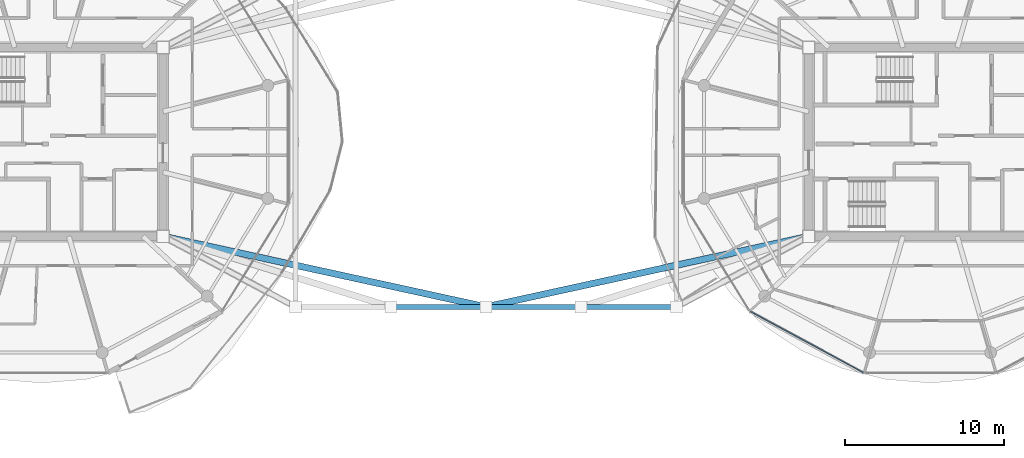
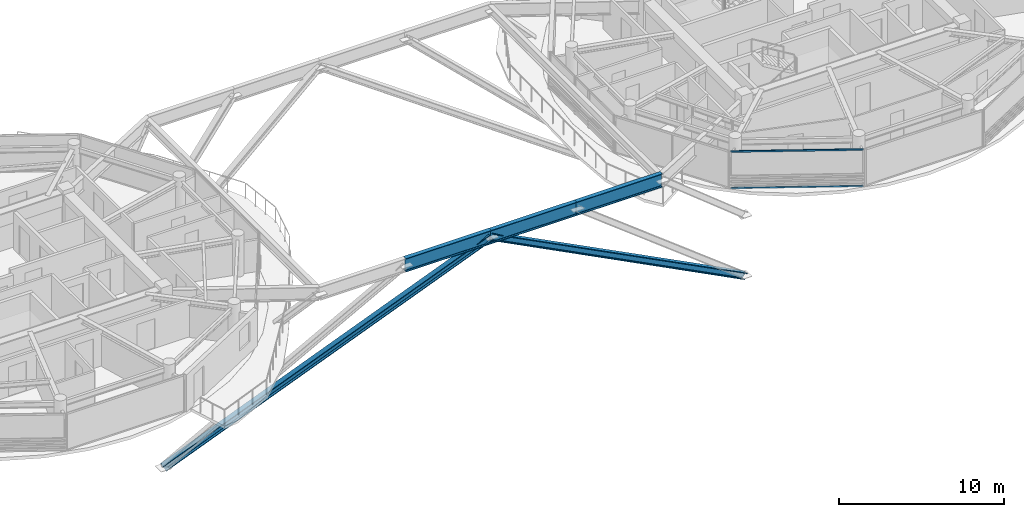
# One storey, part 6 of 23: 4 members, 3 beams, 1 element without a shape of its own.
"""IFC4 building model written with IfcOpenShell, lengths in metres."""

from ifc_helpers import new_model, si_unit, direction, frame, origin, origin_2d, place, context, subcontext, project, spatial, rectangle, i_section, extrude, source, transform, mapped, material, layer, layer_set, material_profile, profile_set, type_object, type_shapes, element, aggregate, save


model = new_model("IFC4")

# Units and contexts
model_context = context("Model", 3, precision=1e-05, world=origin(), true_north=direction((0.0, 1.0)))
body_context = subcontext(model_context, "Body", "Model", "MODEL_VIEW")
ifc_project = project(units=[si_unit("LENGTHUNIT", "METRE"), si_unit("AREAUNIT", "SQUARE_METRE"), si_unit("VOLUMEUNIT", "CUBIC_METRE"), si_unit("PLANEANGLEUNIT", "RADIAN"), si_unit("MASSUNIT", "GRAM", prefix="KILO")], contexts=[model_context])

# Site, building, storey
site_placement = place(None, origin())
site = spatial("IfcSite", under=ifc_project, at=site_placement, CompositionType="ELEMENT")
building_placement = place(site_placement, origin())
building = spatial("IfcBuilding", under=site, at=building_placement, Name="Norrkilde Senior Care Towers", CompositionType="ELEMENT")
storey_placement = place(building_placement, frame((0.0, 0.0, 196.75)))
storey = spatial("IfcBuildingStorey", under=building, at=storey_placement, Name="L61", CompositionType="ELEMENT", Elevation=196.75)

# Beams
ifc_material_1 = material(Name="Steel S355", Category="steel")
ifc_material_profile_1 = material_profile(ifc_material_1, i_section(OverallWidth=0.300048828125, OverallDepth=1.0, WebThickness=0.01904296875, FlangeThickness=0.035888671875, FilletRadius=0.030029296875, at=origin_2d()), Name="HEB 1000")
ifc_profile_set_1 = profile_set([ifc_material_profile_1], Name="Steel S355")
beam_type = type_object("IfcBeamType", Name="Sky Pool Cantilever Girder HEB1000", PredefinedType="USERDEFINED", material=ifc_profile_set_1)
shared_shape_1 = source(origin(), body_context, "Body", "SweptSolid", [
    extrude(i_section(OverallWidth=0.300048828125, OverallDepth=1.0, WebThickness=0.01904296875, FlangeThickness=0.035888671875, FilletRadius=0.030029296875, at=origin_2d()), origin(), (0.0, 0.0, 1.0), 6.0),
])
type_shapes(beam_type, [shared_shape_1])
for number, where, z_axis, x_axis, name in (
    (1, (-6.0, -10.39990234375, 2.1298828125), (1.0, 0.0, 0.0), (0.0, 1.0, 0.0), "L61 Sky-Gate Bridge Transfer Girder S3"),
    (2, (0.0, -10.39990234375, 2.1298828125), (1.0, 0.0, 0.0), (0.0, 1.0, 0.0), "L61 Sky-Gate Bridge Transfer Girder S4"),
    (3, (6.0, -10.39990234375, 2.1298828125), (1.0, 0.0, 0.0), (0.0, 1.0, 0.0), "L61 Sky-Gate Bridge Transfer Girder S5"),
):
    element("IfcBeam", number, at=place(storey_placement, frame(where, z_axis=z_axis, x_axis=x_axis)), inside=storey, type_object=beam_type, Name=name, ObjectType="GIRDER", PredefinedType="USERDEFINED", context=body_context, shape_type="MappedRepresentation", body=[
        mapped(shared_shape_1, transform((0.0, 0.0, 0.0), x_axis=(1.0, 0.0, 0.0), y_axis=(0.0, 1.0, 0.0), z_axis=(0.0, 0.0, 1.0), scale=1.0)),
    ])

# Members
ifc_material_profile_2 = material_profile(ifc_material_1, i_section(OverallWidth=0.412109375, OverallDepth=0.449951171875, WebThickness=0.028076171875, FlangeThickness=0.044921875, FilletRadius=0.014892578125, at=origin_2d()), Name="HD 400x509")
ifc_profile_set_2 = profile_set([ifc_material_profile_2], Name="Steel S355")
member_type_1 = type_object("IfcMemberType", Name="Pratt Bridge Truss Diagonal HD400x509", PredefinedType="BRACE", material=ifc_profile_set_2)
shared_shape_2 = source(origin(), body_context, "Body", "SweptSolid", [
    extrude(i_section(OverallWidth=0.412109375, OverallDepth=0.449951171875, WebThickness=0.028076171875, FlangeThickness=0.044921875, FilletRadius=0.014892578125, at=origin_2d()), origin(), (0.0, 0.0, 1.0), 24.412841796875),
])
type_shapes(member_type_1, [shared_shape_2])
for number, where, z_axis, x_axis, name in (
    (4, (-20.35009765625, -5.949951171875, -10.60009765625), (0.833585806424, -0.18228001648, 0.521448654156), (0.21362207932, 0.976916376783, 0.0), "L61 Sky-Gate Portal Arch Strut S-W00"),
    (5, (20.35009765625, -5.949951171875, -10.60009765625), (-0.833585806424, -0.18228001648, 0.521448654156), (0.21362207932, -0.976916376783, 0.0), "L61 Sky-Gate Portal Arch Strut S-E00"),
):
    element("IfcMember", number, at=place(storey_placement, frame(where, z_axis=z_axis, x_axis=x_axis)), inside=storey, type_object=member_type_1, Name=name, PredefinedType="BRACE", context=body_context, shape_type="MappedRepresentation", body=[
        mapped(shared_shape_2, transform((0.0, 0.0, 0.0), x_axis=(1.0, 0.0, 0.0), y_axis=(0.0, 1.0, 0.0), z_axis=(0.0, 0.0, 1.0), scale=1.0)),
    ])

# Curtain wall, members
ifc_material_2 = material(Name="Triple Low-E Insulated Glazing", Category="glass")
ifc_layer = layer(ifc_material_2, 0.18505859375)
ifc_layer_set = layer_set([ifc_layer], Name="Triple Low-E Insulated Glazing")
curtain_wall_type = type_object("IfcCurtainWallType", Name="CW6 Zone 4 Crown Pavilion Curtain Wall", PredefinedType="NOTDEFINED", material=ifc_layer_set)
curtain_wall_placement = place(storey_placement, origin())
curtain_wall = element("IfcCurtainWall", 6, at=curtain_wall_placement, inside=storey, type_object=curtain_wall_type, Name="L61 Drum E Curtain Wall 07", PredefinedType="NOTDEFINED")
ifc_material_3 = material(Name="Anodised Aluminium", Category="aluminium")
ifc_material_profile_3 = material_profile(ifc_material_3, rectangle(XDim=0.06005859375, YDim=0.1201171875, at=origin_2d()), Name="ALU TRAN 60x120")
ifc_profile_set_3 = profile_set([ifc_material_profile_3], Name="Anodised Aluminium")
member_type_2 = type_object("IfcMemberType", Name="Curtain Wall Transom Typical 60x120", PredefinedType="USERDEFINED", material=ifc_profile_set_3)
shared_shape_3 = source(origin(), body_context, "Body", "SweptSolid", [
    extrude(rectangle(XDim=0.06005859375, YDim=0.1201171875, at=origin_2d()), origin(), (0.0, 0.0, 1.0), 8.0673828125),
])
type_shapes(member_type_2, [shared_shape_3])
member_1_placement = place(storey_placement, frame((23.781005859375, -14.53515625, 0.030029296875), z_axis=(-0.87937750072, 0.476125205411, 0.0), x_axis=(-0.476125205411, -0.87937750072, 0.0)))
member_1 = element("IfcMember", 7, at=member_1_placement, type_object=member_type_2, Name="CW-6 transom 1.1", ObjectType="TRANSOM", PredefinedType="USERDEFINED", context=body_context, shape_type="MappedRepresentation", body=[
    mapped(shared_shape_3, transform((0.0, 0.0, 0.0), x_axis=(1.0, 0.0, 0.0), y_axis=(0.0, 1.0, 0.0), z_axis=(0.0, 0.0, 1.0), scale=1.0)),
])
member_2_placement = place(storey_placement, frame((23.781005859375, -14.53515625, 2.72998046875), z_axis=(-0.87937750072, 0.476125205411, 0.0), x_axis=(-0.476125205411, -0.87937750072, 0.0)))
member_2 = element("IfcMember", 8, at=member_2_placement, type_object=member_type_2, Name="CW-6 transom 1.2", ObjectType="TRANSOM", PredefinedType="USERDEFINED", context=body_context, shape_type="MappedRepresentation", body=[
    mapped(shared_shape_3, transform((0.0, 0.0, 0.0), x_axis=(1.0, 0.0, 0.0), y_axis=(0.0, 1.0, 0.0), z_axis=(0.0, 0.0, 1.0), scale=1.0)),
])
aggregate(curtain_wall, [member_1, member_2])

save(model, "model.ifc")
